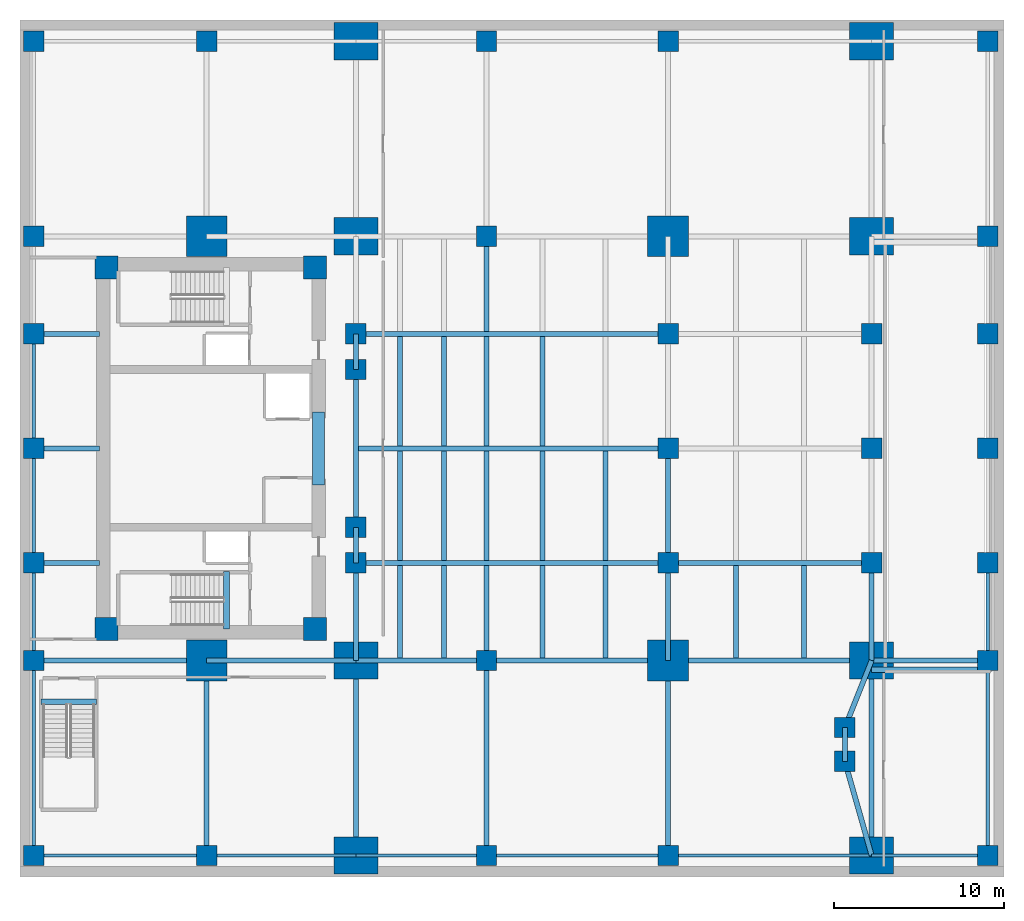
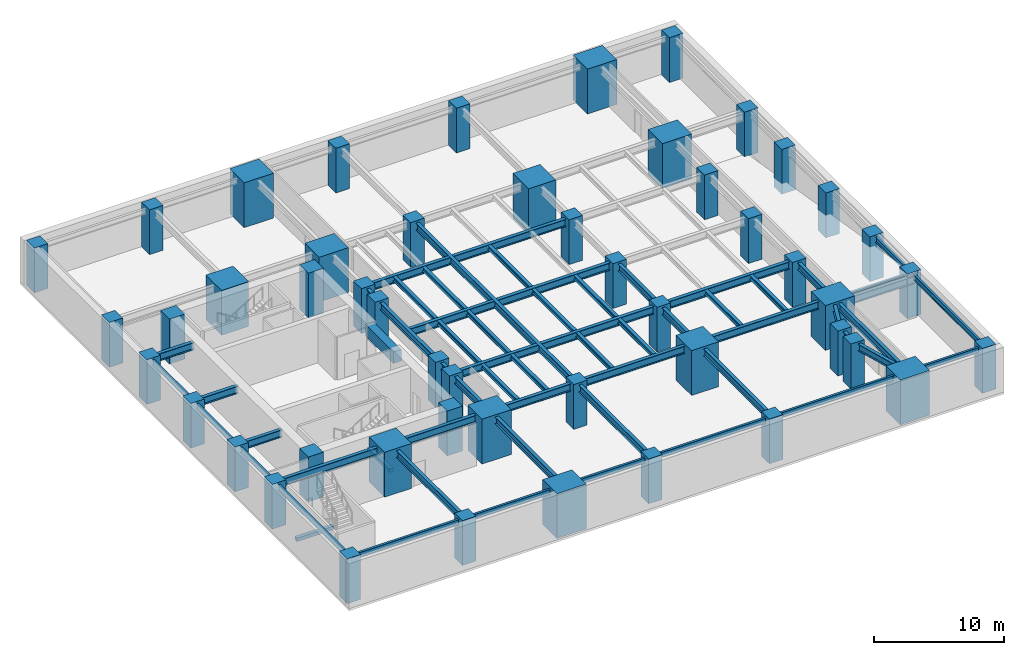
# One storey, part 1 of 5: 58 beams, 50 columns.
"""IFC4 building model written with IfcOpenShell, lengths in metres."""

from ifc_helpers import new_model, si_unit, direction, frame, origin, origin_2d, place, context, subcontext, project, spatial, rectangle, i_section, extrude, material, material_profile, profile_set, type_object, element, save


model = new_model("IFC4")

# Units and contexts
model_context = context("Model", 3, precision=1e-05, world=origin(), true_north=direction((0.0, 1.0)))
body_context = subcontext(model_context, "Body", "Model", "MODEL_VIEW")
ifc_project = project(units=[si_unit("LENGTHUNIT", "METRE"), si_unit("AREAUNIT", "SQUARE_METRE"), si_unit("VOLUMEUNIT", "CUBIC_METRE"), si_unit("PLANEANGLEUNIT", "RADIAN"), si_unit("MASSUNIT", "GRAM", prefix="KILO")], contexts=[model_context])

# Site, building, storey
site_placement = place(None, origin())
site = spatial("IfcSite", under=ifc_project, at=site_placement, CompositionType="ELEMENT")
building_placement = place(site_placement, origin())
building = spatial("IfcBuilding", under=site, at=building_placement, Name="Kinhvarn Gate Tower", CompositionType="ELEMENT")
storey_placement = place(building_placement, frame((0.0, 0.0, -9.0)))
storey = spatial("IfcBuildingStorey", under=building, at=storey_placement, Name="B02", CompositionType="ELEMENT", Elevation=-9.0)

# Columns
ifc_material_1 = material(Name="Concrete C70/85", Category="concrete")
ifc_material_profile_1 = material_profile(ifc_material_1, rectangle(XDim=2.60009765625, YDim=2.199951171875, at=origin_2d()), Name="RC 2600x2200")
ifc_profile_set_1 = profile_set([ifc_material_profile_1], Name="Concrete C70/85")
column_type_1 = type_object("IfcColumnType", Name="COL-AP-2600", PredefinedType="COLUMN", material=ifc_profile_set_1)
for number, where, z_axis, x_axis, name in (
    (1, (19.800048828125, 1.25, 0.0), (0.0, 0.0, 1.0), (1.0, 0.0, 0.0), "Column APW-1-B02 (AP-01)"),
    (2, (50.199951171875, 1.25, 0.0), (0.0, 0.0, 1.0), (1.0, 0.0, 0.0), "Column APE-1-B02 (AP-01)"),
    (3, (19.800048828125, 12.75, 0.0), (0.0, 0.0, 1.0), (1.0, 0.0, 0.0), "Column APW-2-B02 (AP-01)"),
    (4, (50.199951171875, 12.75, 0.0), (0.0, 0.0, 1.0), (1.0, 0.0, 0.0), "Column APE-2-B02 (AP-01)"),
    (5, (19.800048828125, 37.75, 0.0), (0.0, 0.0, 1.0), (1.0, 0.0, 0.0), "Column APW-3-B02 (AP-01)"),
    (6, (50.199951171875, 37.75, 0.0), (0.0, 0.0, 1.0), (1.0, 0.0, 0.0), "Column APE-3-B02 (AP-01)"),
    (7, (19.800048828125, 49.25, 0.0), (0.0, 0.0, 1.0), (1.0, 0.0, 0.0), "Column APW-4-B02 (AP-01)"),
    (8, (50.199951171875, 49.25, 0.0), (0.0, 0.0, 1.0), (1.0, 0.0, 0.0), "Column APE-4-B02 (AP-01)"),
):
    element("IfcColumn", number, at=place(storey_placement, frame(where, z_axis=z_axis, x_axis=x_axis)), inside=storey, type_object=column_type_1, Name=name, PredefinedType="COLUMN", context=body_context, shape_type="SweptSolid", body=[
        extrude(rectangle(XDim=2.60009765625, YDim=2.199951171875, at=origin_2d()), origin(), (0.0, 0.0, 1.0), 4.199951171875),
    ])
ifc_material_profile_2 = material_profile(ifc_material_1, rectangle(XDim=2.39990234375, YDim=2.39990234375, at=origin_2d()), Name="RC 2400x2400")
ifc_profile_set_2 = profile_set([ifc_material_profile_2], Name="Concrete C70/85")
column_type_2 = type_object("IfcColumnType", Name="COL-MC-2400", PredefinedType="COLUMN", material=ifc_profile_set_2)
for number, where, z_axis, x_axis, name in (
    (9, (11.0, 12.75, 0.0), (0.0, 0.0, 1.0), (1.0, 0.0, 0.0), "Column MC1-B02 (MC-24)"),
    (10, (11.0, 37.75, 0.0), (0.0, 0.0, 1.0), (1.0, 0.0, 0.0), "Column MC4-B02 (MC-24)"),
    (11, (38.199951171875, 12.75, 0.0), (0.0, 0.0, 1.0), (1.0, 0.0, 0.0), "Column MC2-B02 (MC-24)"),
    (12, (38.199951171875, 37.75, 0.0), (0.0, 0.0, 1.0), (1.0, 0.0, 0.0), "Column MC3-B02 (MC-24)"),
):
    element("IfcColumn", number, at=place(storey_placement, frame(where, z_axis=z_axis, x_axis=x_axis)), inside=storey, type_object=column_type_2, Name=name, PredefinedType="COLUMN", context=body_context, shape_type="SweptSolid", body=[
        extrude(rectangle(XDim=2.39990234375, YDim=2.39990234375, at=origin_2d()), origin(), (0.0, 0.0, 1.0), 4.199951171875),
    ])
ifc_material_2 = material(Name="Concrete C60/75", Category="concrete")
ifc_material_profile_3 = material_profile(ifc_material_2, rectangle(XDim=1.199951171875, YDim=1.199951171875, at=origin_2d()), Name="RC 1200x1200")
ifc_profile_set_3 = profile_set([ifc_material_profile_3], Name="Concrete C60/75")
column_type_3 = type_object("IfcColumnType", Name="COL-RC-1200", PredefinedType="COLUMN", material=ifc_profile_set_3)
for number, where, z_axis, x_axis, name in (
    (13, (27.5, 12.75, 0.0), (0.0, 0.0, 1.0), (1.0, 0.0, 0.0), "Column SP27-S-B02 (C-120)"),
    (14, (27.5, 37.75, 0.0), (0.0, 0.0, 1.0), (1.0, 0.0, 0.0), "Column SP27-N-B02 (C-120)"),
    (15, (38.199951171875, 18.5, 0.0), (0.0, 0.0, 1.0), (1.0, 0.0, 0.0), "Column SP38-E1-B02 (C-120)"),
    (16, (38.199951171875, 25.25, 0.0), (0.0, 0.0, 1.0), (1.0, 0.0, 0.0), "Column SP38-E2-B02 (C-120)"),
    (17, (38.199951171875, 32.0, 0.0), (0.0, 0.0, 1.0), (1.0, 0.0, 0.0), "Column SP38-E3-B02 (C-120)"),
    (18, (19.800048828125, 18.5, 0.0), (0.0, 0.0, 1.0), (1.0, 0.0, 0.0), "Column APW-M1-B02 (C-120)"),
    (19, (19.800048828125, 20.60009765625, 0.0), (0.0, 0.0, 1.0), (1.0, 0.0, 0.0), "Column APW-M2-B02 (C-120)"),
    (20, (19.800048828125, 29.89990234375, 0.0), (0.0, 0.0, 1.0), (1.0, 0.0, 0.0), "Column APW-M3-B02 (C-120)"),
    (21, (19.800048828125, 32.0, 0.0), (0.0, 0.0, 1.0), (1.0, 0.0, 0.0), "Column APW-M4-B02 (C-120)"),
    (22, (50.199951171875, 18.5, 0.0), (0.0, 0.0, 1.0), (1.0, 0.0, 0.0), "Column APE-M1-B02 (C-120)"),
    (23, (50.199951171875, 25.25, 0.0), (0.0, 0.0, 1.0), (1.0, 0.0, 0.0), "Column APE-M2-B02 (C-120)"),
    (24, (50.199951171875, 32.0, 0.0), (0.0, 0.0, 1.0), (1.0, 0.0, 0.0), "Column APE-M3-B02 (C-120)"),
    (25, (0.800048828125, 1.25, 0.0), (0.0, 0.0, 1.0), (1.0, 0.0, 0.0), "Column PW-1-B02 (C-120)"),
    (26, (57.050048828125, 1.25, 0.0), (0.0, 0.0, 1.0), (1.0, 0.0, 0.0), "Column PE-1-B02 (C-120)"),
    (27, (0.800048828125, 12.75, 0.0), (0.0, 0.0, 1.0), (1.0, 0.0, 0.0), "Column PW-2-B02 (C-120)"),
    (28, (57.050048828125, 12.75, 0.0), (0.0, 0.0, 1.0), (1.0, 0.0, 0.0), "Column PE-2-B02 (C-120)"),
    (29, (0.800048828125, 18.5, 0.0), (0.0, 0.0, 1.0), (1.0, 0.0, 0.0), "Column PW-3-B02 (C-120)"),
    (30, (57.050048828125, 18.5, 0.0), (0.0, 0.0, 1.0), (1.0, 0.0, 0.0), "Column PE-3-B02 (C-120)"),
    (31, (0.800048828125, 25.25, 0.0), (0.0, 0.0, 1.0), (1.0, 0.0, 0.0), "Column PW-4-B02 (C-120)"),
    (32, (57.050048828125, 25.25, 0.0), (0.0, 0.0, 1.0), (1.0, 0.0, 0.0), "Column PE-4-B02 (C-120)"),
    (33, (0.800048828125, 32.0, 0.0), (0.0, 0.0, 1.0), (1.0, 0.0, 0.0), "Column PW-5-B02 (C-120)"),
    (34, (57.050048828125, 32.0, 0.0), (0.0, 0.0, 1.0), (1.0, 0.0, 0.0), "Column PE-5-B02 (C-120)"),
    (35, (0.800048828125, 37.75, 0.0), (0.0, 0.0, 1.0), (1.0, 0.0, 0.0), "Column PW-6-B02 (C-120)"),
    (36, (57.050048828125, 37.75, 0.0), (0.0, 0.0, 1.0), (1.0, 0.0, 0.0), "Column PE-6-B02 (C-120)"),
    (37, (0.800048828125, 49.25, 0.0), (0.0, 0.0, 1.0), (1.0, 0.0, 0.0), "Column PW-7-B02 (C-120)"),
    (38, (57.050048828125, 49.25, 0.0), (0.0, 0.0, 1.0), (1.0, 0.0, 0.0), "Column PE-7-B02 (C-120)"),
    (39, (11.0, 1.25, 0.0), (0.0, 0.0, 1.0), (1.0, 0.0, 0.0), "Column P11-S-B02 (C-120)"),
    (40, (11.0, 49.25, 0.0), (0.0, 0.0, 1.0), (1.0, 0.0, 0.0), "Column P11-N-B02 (C-120)"),
    (41, (48.6201171875, 6.800048828125, 0.0), (0.0, 0.0, 1.0), (1.0, 0.0, 0.0), "Column CS-SE1-B02 (C-120)"),
    (42, (48.6201171875, 8.800048828125, 0.0), (0.0, 0.0, 1.0), (1.0, 0.0, 0.0), "Column CS-SE1B-B02 (C-120)"),
    (43, (27.5, 1.25, 0.0), (0.0, 0.0, 1.0), (1.0, 0.0, 0.0), "Column B27-S-B02 (C-120)"),
    (44, (38.199951171875, 1.25, 0.0), (0.0, 0.0, 1.0), (1.0, 0.0, 0.0), "Column B38-S-B02 (C-120)"),
    (45, (27.5, 49.25, 0.0), (0.0, 0.0, 1.0), (1.0, 0.0, 0.0), "Column B27-N-B02 (C-120)"),
    (46, (38.199951171875, 49.25, 0.0), (0.0, 0.0, 1.0), (1.0, 0.0, 0.0), "Column B38-N-B02 (C-120)"),
):
    element("IfcColumn", number, at=place(storey_placement, frame(where, z_axis=z_axis, x_axis=x_axis)), inside=storey, type_object=column_type_3, Name=name, PredefinedType="COLUMN", context=body_context, shape_type="SweptSolid", body=[
        extrude(rectangle(XDim=1.199951171875, YDim=1.199951171875, at=origin_2d()), origin(), (0.0, 0.0, 1.0), 4.199951171875),
    ])
ifc_material_profile_4 = material_profile(ifc_material_1, rectangle(XDim=1.35009765625, YDim=1.35009765625, at=origin_2d()), Name="RC 1350x1350")
ifc_profile_set_4 = profile_set([ifc_material_profile_4], Name="Concrete C70/85")
column_type_4 = type_object("IfcColumnType", Name="PIL-RC-1350", PredefinedType="PILASTER", material=ifc_profile_set_4)
for number, where, z_axis, x_axis, name in (
    (47, (5.10009765625, 14.60009765625, 0.0), (0.0, 0.0, 1.0), (1.0, 0.0, 0.0), "Column CC-SW-B02 (CP-135)"),
    (48, (5.10009765625, 35.89990234375, 0.0), (0.0, 0.0, 1.0), (1.0, 0.0, 0.0), "Column CC-NW-B02 (CP-135)"),
    (49, (17.39990234375, 14.60009765625, 0.0), (0.0, 0.0, 1.0), (1.0, 0.0, 0.0), "Column CC-SE-B02 (CP-135)"),
    (50, (17.39990234375, 35.89990234375, 0.0), (0.0, 0.0, 1.0), (1.0, 0.0, 0.0), "Column CC-NE-B02 (CP-135)"),
):
    element("IfcColumn", number, at=place(storey_placement, frame(where, z_axis=z_axis, x_axis=x_axis)), inside=storey, type_object=column_type_4, Name=name, PredefinedType="PILASTER", context=body_context, shape_type="SweptSolid", body=[
        extrude(rectangle(XDim=1.35009765625, YDim=1.35009765625, at=origin_2d()), origin(), (0.0, 0.0, 1.0), 4.199951171875),
    ])

# Beams
ifc_material_profile_5 = material_profile(ifc_material_1, rectangle(XDim=0.699951171875, YDim=1.10009765625, at=origin_2d()), Name="RC 700x1100")
ifc_profile_set_5 = profile_set([ifc_material_profile_5], Name="Concrete C70/85")
beam_type_1 = type_object("IfcBeamType", Name="BM-CB-1100", PredefinedType="LINTEL", material=ifc_profile_set_5)
beam_1_placement = place(storey_placement, frame((17.60009765625, 23.10009765625, 3.449951171875), z_axis=(0.0, 1.0, 0.0), x_axis=(-1.0, 0.0, 0.0)))
element("IfcBeam", 51, at=beam_1_placement, inside=storey, type_object=beam_type_1, Name="Core East Portal Coupling Beam B02", PredefinedType="LINTEL", context=body_context, shape_type="SweptSolid", body=[
    extrude(rectangle(XDim=0.699951171875, YDim=1.10009765625, at=origin_2d()), origin(), (0.0, 0.0, 1.0), 4.2998046875),
])
ifc_material_3 = material(Name="Concrete C50/60", Category="concrete")
ifc_material_profile_6 = material_profile(ifc_material_3, rectangle(XDim=0.340087890625, YDim=0.320068359375, at=origin_2d()), Name="RC 340x320")
ifc_profile_set_6 = profile_set([ifc_material_profile_6], Name="Concrete C50/60")
beam_type_2 = type_object("IfcBeamType", Name="BM-LND-500", PredefinedType="BEAM", material=ifc_profile_set_6)
beam_2_placement = place(storey_placement, frame((12.1650390625, 14.60009765625, -0.159912109375), z_axis=(0.0, 1.0, 0.0), x_axis=(-1.0, 0.0, 0.0)))
element("IfcBeam", 52, at=beam_2_placement, inside=storey, type_object=beam_type_2, Name="Stair ST1 Landing Nosing Beam (B02)", PredefinedType="BEAM", context=body_context, shape_type="SweptSolid", body=[
    extrude(rectangle(XDim=0.340087890625, YDim=0.320068359375, at=origin_2d()), origin(), (0.0, 0.0, 1.0), 3.39990234375),
])
beam_3_placement = place(storey_placement, frame((1.25, 10.31494140625, -0.159912109375), z_axis=(1.0, 0.0, 0.0), x_axis=(0.0, 1.0, 0.0)))
element("IfcBeam", 53, at=beam_3_placement, inside=storey, type_object=beam_type_2, Name="Stair ST3 Landing Nosing Beam (B02)", PredefinedType="BEAM", context=body_context, shape_type="SweptSolid", body=[
    extrude(rectangle(XDim=0.340087890625, YDim=0.320068359375, at=origin_2d()), origin(), (0.0, 0.0, 1.0), 3.25),
])
ifc_material_4 = material(Name="Steel S355", Category="steel")
ifc_material_profile_7 = material_profile(ifc_material_4, i_section(OverallWidth=0.300048828125, OverallDepth=0.39990234375, WebThickness=0.013427734375, FlangeThickness=0.02392578125, at=origin_2d()), Name="HEB 400")
ifc_profile_set_7 = profile_set([ifc_material_profile_7], Name="Steel S355")
beam_type_3 = type_object("IfcBeamType", Name="STL-HEB400", PredefinedType="BEAM", material=ifc_profile_set_7)
for number, where, z_axis, x_axis, name in (
    (54, (22.39990234375, 12.89990234375, 3.800048828125), (0.0, 1.0, 0.0), (-1.0, 0.0, 0.0), "Floor Beam PG-12 (B02 J224-12)"),
    (55, (25.0, 12.89990234375, 3.800048828125), (0.0, 1.0, 0.0), (-1.0, 0.0, 0.0), "Floor Beam PG-12 (B02 J250-12)"),
    (56, (30.800048828125, 12.89990234375, 3.800048828125), (0.0, 1.0, 0.0), (-1.0, 0.0, 0.0), "Floor Beam PG-12 (B02 J308-12)"),
    (57, (34.5, 12.89990234375, 3.800048828125), (0.0, 1.0, 0.0), (-1.0, 0.0, 0.0), "Floor Beam PG-12 (B02 J345-12)"),
    (58, (42.199951171875, 12.89990234375, 3.800048828125), (0.0, 1.0, 0.0), (-1.0, 0.0, 0.0), "Floor Beam PG-12 (B02 J422-12)"),
    (59, (46.199951171875, 12.89990234375, 3.800048828125), (0.0, 1.0, 0.0), (-1.0, 0.0, 0.0), "Floor Beam PG-12 (B02 J462-12)"),
):
    element("IfcBeam", number, at=place(storey_placement, frame(where, z_axis=z_axis, x_axis=x_axis)), inside=storey, type_object=beam_type_3, Name=name, PredefinedType="BEAM", context=body_context, shape_type="SweptSolid", body=[
        extrude(i_section(OverallWidth=0.300048828125, OverallDepth=0.39990234375, WebThickness=0.013427734375, FlangeThickness=0.02392578125, at=origin_2d()), origin(), (0.0, 0.0, 1.0), 5.4501953125),
    ])
for number, where, z_axis, x_axis, name in (
    (60, (22.39990234375, 18.64990234375, 3.800048828125), (0.0, 1.0, 0.0), (-1.0, 0.0, 0.0), "Floor Beam PG-12 (B02 J224-18)"),
    (61, (25.0, 18.64990234375, 3.800048828125), (0.0, 1.0, 0.0), (-1.0, 0.0, 0.0), "Floor Beam PG-12 (B02 J250-18)"),
    (62, (30.800048828125, 18.64990234375, 3.800048828125), (0.0, 1.0, 0.0), (-1.0, 0.0, 0.0), "Floor Beam PG-12 (B02 J308-18)"),
    (63, (34.5, 18.64990234375, 3.800048828125), (0.0, 1.0, 0.0), (-1.0, 0.0, 0.0), "Floor Beam PG-12 (B02 J345-18)"),
    (64, (22.39990234375, 25.39990234375, 3.800048828125), (0.0, 1.0, 0.0), (-1.0, 0.0, 0.0), "Floor Beam PG-12 (B02 J224-25)"),
    (65, (25.0, 25.39990234375, 3.800048828125), (0.0, 1.0, 0.0), (-1.0, 0.0, 0.0), "Floor Beam PG-12 (B02 J250-25)"),
    (66, (30.800048828125, 25.39990234375, 3.800048828125), (0.0, 1.0, 0.0), (-1.0, 0.0, 0.0), "Floor Beam PG-12 (B02 J308-25)"),
):
    element("IfcBeam", number, at=place(storey_placement, frame(where, z_axis=z_axis, x_axis=x_axis)), inside=storey, type_object=beam_type_3, Name=name, PredefinedType="BEAM", context=body_context, shape_type="SweptSolid", body=[
        extrude(i_section(OverallWidth=0.300048828125, OverallDepth=0.39990234375, WebThickness=0.013427734375, FlangeThickness=0.02392578125, at=origin_2d()), origin(), (0.0, 0.0, 1.0), 6.4501953125),
    ])
ifc_material_profile_8 = material_profile(ifc_material_4, i_section(OverallWidth=0.300048828125, OverallDepth=0.64990234375, WebThickness=0.01611328125, FlangeThickness=0.031005859375, at=origin_2d()), Name="HEB 650")
ifc_profile_set_8 = profile_set([ifc_material_profile_8], Name="Steel S355")
beam_type_4 = type_object("IfcBeamType", Name="STL-HEB650", PredefinedType="BEAM", material=ifc_profile_set_8)
beam_4_placement = place(storey_placement, frame((48.6201171875, 6.800048828125, 3.675048828125), z_axis=(0.273776643474, -0.961793298733, 0.0), x_axis=(0.961793298733, 0.273776643474, 0.0)))
element("IfcBeam", 67, at=beam_4_placement, inside=storey, type_object=beam_type_4, Name="Floor Beam PG-17 (B02 TIE-SE1-AP)", PredefinedType="BEAM", context=body_context, shape_type="SweptSolid", body=[
    extrude(i_section(OverallWidth=0.300048828125, OverallDepth=0.64990234375, WebThickness=0.01611328125, FlangeThickness=0.031005859375, at=origin_2d()), origin(), (0.0, 0.0, 1.0), 5.7705078125),
])
beam_5_placement = place(storey_placement, frame((48.6201171875, 6.800048828125, 3.675048828125), z_axis=(0.0, 1.0, 0.0), x_axis=(-1.0, 0.0, 0.0)))
element("IfcBeam", 68, at=beam_5_placement, inside=storey, type_object=beam_type_4, Name="Floor Beam PG-17 (B02 TIE-SE1-M)", PredefinedType="BEAM", context=body_context, shape_type="SweptSolid", body=[
    extrude(i_section(OverallWidth=0.300048828125, OverallDepth=0.64990234375, WebThickness=0.01611328125, FlangeThickness=0.031005859375, at=origin_2d()), origin(), (0.0, 0.0, 1.0), 2.0),
])
beam_6_placement = place(storey_placement, frame((48.6201171875, 8.800048828125, 3.675048828125), z_axis=(0.371360992457, 0.928488563894, 0.0), x_axis=(-0.928488563894, 0.371360992457, 0.0)))
element("IfcBeam", 69, at=beam_6_placement, inside=storey, type_object=beam_type_4, Name="Floor Beam PG-17 (B02 TIE-SE1-N)", PredefinedType="BEAM", context=body_context, shape_type="SweptSolid", body=[
    extrude(i_section(OverallWidth=0.300048828125, OverallDepth=0.64990234375, WebThickness=0.01611328125, FlangeThickness=0.031005859375, at=origin_2d()), origin(), (0.0, 0.0, 1.0), 4.254150390625),
])
for number, where, z_axis, x_axis, name in (
    (70, (11.0, 1.25, 3.675048828125), (0.0, 1.0, 0.0), (-1.0, 0.0, 0.0), "Floor Beam PG-17 (B02 NS11-S)"),
    (71, (19.800048828125, 1.25, 3.675048828125), (0.0, 1.0, 0.0), (-1.0, 0.0, 0.0), "Floor Beam PG-17 (B02 APW-1)"),
):
    element("IfcBeam", number, at=place(storey_placement, frame(where, z_axis=z_axis, x_axis=x_axis)), inside=storey, type_object=beam_type_4, Name=name, PredefinedType="BEAM", context=body_context, shape_type="SweptSolid", body=[
        extrude(i_section(OverallWidth=0.300048828125, OverallDepth=0.64990234375, WebThickness=0.01611328125, FlangeThickness=0.031005859375, at=origin_2d()), origin(), (0.0, 0.0, 1.0), 11.5),
    ])
beam_7_placement = place(storey_placement, frame((19.800048828125, 12.75, 3.675048828125), z_axis=(0.0, 1.0, 0.0), x_axis=(-1.0, 0.0, 0.0)))
element("IfcBeam", 72, at=beam_7_placement, inside=storey, type_object=beam_type_4, Name="Floor Beam PG-17 (B02 APW-2)", PredefinedType="BEAM", context=body_context, shape_type="SweptSolid", body=[
    extrude(i_section(OverallWidth=0.300048828125, OverallDepth=0.64990234375, WebThickness=0.01611328125, FlangeThickness=0.031005859375, at=origin_2d()), origin(), (0.0, 0.0, 1.0), 5.75),
])
beam_8_placement = place(storey_placement, frame((19.800048828125, 18.5, 3.675048828125), z_axis=(0.0, 1.0, 0.0), x_axis=(-1.0, 0.0, 0.0)))
element("IfcBeam", 73, at=beam_8_placement, inside=storey, type_object=beam_type_4, Name="Floor Beam PG-17 (B02 APW-3)", PredefinedType="BEAM", context=body_context, shape_type="SweptSolid", body=[
    extrude(i_section(OverallWidth=0.300048828125, OverallDepth=0.64990234375, WebThickness=0.01611328125, FlangeThickness=0.031005859375, at=origin_2d()), origin(), (0.0, 0.0, 1.0), 2.10009765625),
])
beam_9_placement = place(storey_placement, frame((19.800048828125, 20.60009765625, 3.675048828125), z_axis=(0.0, 1.0, 0.0), x_axis=(-1.0, 0.0, 0.0)))
element("IfcBeam", 74, at=beam_9_placement, inside=storey, type_object=beam_type_4, Name="Floor Beam PG-17 (B02 APW-4)", PredefinedType="BEAM", context=body_context, shape_type="SweptSolid", body=[
    extrude(i_section(OverallWidth=0.300048828125, OverallDepth=0.64990234375, WebThickness=0.01611328125, FlangeThickness=0.031005859375, at=origin_2d()), origin(), (0.0, 0.0, 1.0), 9.2998046875),
])
beam_10_placement = place(storey_placement, frame((19.800048828125, 29.89990234375, 3.675048828125), z_axis=(0.0, 1.0, 0.0), x_axis=(-1.0, 0.0, 0.0)))
element("IfcBeam", 75, at=beam_10_placement, inside=storey, type_object=beam_type_4, Name="Floor Beam PG-17 (B02 APW-5)", PredefinedType="BEAM", context=body_context, shape_type="SweptSolid", body=[
    extrude(i_section(OverallWidth=0.300048828125, OverallDepth=0.64990234375, WebThickness=0.01611328125, FlangeThickness=0.031005859375, at=origin_2d()), origin(), (0.0, 0.0, 1.0), 2.10009765625),
])
beam_11_placement = place(storey_placement, frame((50.199951171875, 1.25, 3.675048828125), z_axis=(0.0, 1.0, 0.0), x_axis=(-1.0, 0.0, 0.0)))
element("IfcBeam", 76, at=beam_11_placement, inside=storey, type_object=beam_type_4, Name="Floor Beam PG-17 (B02 APE-1)", PredefinedType="BEAM", context=body_context, shape_type="SweptSolid", body=[
    extrude(i_section(OverallWidth=0.300048828125, OverallDepth=0.64990234375, WebThickness=0.01611328125, FlangeThickness=0.031005859375, at=origin_2d()), origin(), (0.0, 0.0, 1.0), 11.5),
])
beam_12_placement = place(storey_placement, frame((50.199951171875, 12.75, 3.675048828125), z_axis=(0.0, 1.0, 0.0), x_axis=(-1.0, 0.0, 0.0)))
element("IfcBeam", 77, at=beam_12_placement, inside=storey, type_object=beam_type_4, Name="Floor Beam PG-17 (B02 APE-2)", PredefinedType="BEAM", context=body_context, shape_type="SweptSolid", body=[
    extrude(i_section(OverallWidth=0.300048828125, OverallDepth=0.64990234375, WebThickness=0.01611328125, FlangeThickness=0.031005859375, at=origin_2d()), origin(), (0.0, 0.0, 1.0), 5.75),
])
for number, where, z_axis, x_axis, name in (
    (78, (27.5, 1.25, 3.675048828125), (0.0, 1.0, 0.0), (-1.0, 0.0, 0.0), "Floor Beam PG-17 (B02 NS27-S)"),
    (79, (38.199951171875, 1.25, 3.675048828125), (0.0, 1.0, 0.0), (-1.0, 0.0, 0.0), "Floor Beam PG-17 (B02 NS38-S)"),
):
    element("IfcBeam", number, at=place(storey_placement, frame(where, z_axis=z_axis, x_axis=x_axis)), inside=storey, type_object=beam_type_4, Name=name, PredefinedType="BEAM", context=body_context, shape_type="SweptSolid", body=[
        extrude(i_section(OverallWidth=0.300048828125, OverallDepth=0.64990234375, WebThickness=0.01611328125, FlangeThickness=0.031005859375, at=origin_2d()), origin(), (0.0, 0.0, 1.0), 11.5),
    ])
beam_13_placement = place(storey_placement, frame((27.5, 12.75, 3.675048828125), z_axis=(0.0, 1.0, 0.0), x_axis=(-1.0, 0.0, 0.0)))
element("IfcBeam", 80, at=beam_13_placement, inside=storey, type_object=beam_type_4, Name="Floor Beam PG-17 (B02 NS27-M)", PredefinedType="BEAM", context=body_context, shape_type="SweptSolid", body=[
    extrude(i_section(OverallWidth=0.300048828125, OverallDepth=0.64990234375, WebThickness=0.01611328125, FlangeThickness=0.031005859375, at=origin_2d()), origin(), (0.0, 0.0, 1.0), 25.0),
])
beam_14_placement = place(storey_placement, frame((38.199951171875, 12.75, 3.675048828125), z_axis=(0.0, 1.0, 0.0), x_axis=(-1.0, 0.0, 0.0)))
element("IfcBeam", 81, at=beam_14_placement, inside=storey, type_object=beam_type_4, Name="Floor Beam PG-17 (B02 NS38-12)", PredefinedType="BEAM", context=body_context, shape_type="SweptSolid", body=[
    extrude(i_section(OverallWidth=0.300048828125, OverallDepth=0.64990234375, WebThickness=0.01611328125, FlangeThickness=0.031005859375, at=origin_2d()), origin(), (0.0, 0.0, 1.0), 5.75),
])
beam_15_placement = place(storey_placement, frame((38.199951171875, 18.5, 3.675048828125), z_axis=(0.0, 1.0, 0.0), x_axis=(-1.0, 0.0, 0.0)))
element("IfcBeam", 82, at=beam_15_placement, inside=storey, type_object=beam_type_4, Name="Floor Beam PG-17 (B02 NS38-18)", PredefinedType="BEAM", context=body_context, shape_type="SweptSolid", body=[
    extrude(i_section(OverallWidth=0.300048828125, OverallDepth=0.64990234375, WebThickness=0.01611328125, FlangeThickness=0.031005859375, at=origin_2d()), origin(), (0.0, 0.0, 1.0), 6.75),
])
ifc_material_profile_9 = material_profile(ifc_material_4, i_section(OverallWidth=0.300048828125, OverallDepth=0.699951171875, WebThickness=0.01708984375, FlangeThickness=0.031982421875, at=origin_2d()), Name="HEB 700")
ifc_profile_set_9 = profile_set([ifc_material_profile_9], Name="Steel S355")
beam_type_5 = type_object("IfcBeamType", Name="STL-HEB700", PredefinedType="BEAM", material=ifc_profile_set_9)
beam_16_placement = place(storey_placement, frame((0.800048828125, 12.75, 3.64990234375), z_axis=(1.0, 0.0, 0.0), x_axis=(0.0, 1.0, 0.0)))
element("IfcBeam", 83, at=beam_16_placement, inside=storey, type_object=beam_type_5, Name="Floor Beam PG-18 (B02 SPS-1)", PredefinedType="BEAM", context=body_context, shape_type="SweptSolid", body=[
    extrude(i_section(OverallWidth=0.300048828125, OverallDepth=0.699951171875, WebThickness=0.01708984375, FlangeThickness=0.031982421875, at=origin_2d()), origin(), (0.0, 0.0, 1.0), 10.199951171875),
])
beam_17_placement = place(storey_placement, frame((11.0, 12.75, 3.64990234375), z_axis=(1.0, 0.0, 0.0), x_axis=(0.0, 1.0, 0.0)))
element("IfcBeam", 84, at=beam_17_placement, inside=storey, type_object=beam_type_5, Name="Floor Beam PG-18 (B02 SPS-2)", PredefinedType="BEAM", context=body_context, shape_type="SweptSolid", body=[
    extrude(i_section(OverallWidth=0.300048828125, OverallDepth=0.699951171875, WebThickness=0.01708984375, FlangeThickness=0.031982421875, at=origin_2d()), origin(), (0.0, 0.0, 1.0), 8.800048828125),
])
beam_18_placement = place(storey_placement, frame((50.199951171875, 12.75, 3.429931640625), z_axis=(1.0, 0.0, 0.0), x_axis=(0.0, 1.0, 0.0)))
element("IfcBeam", 85, at=beam_18_placement, inside=storey, type_object=beam_type_5, Name="Floor Beam PG-18 (B02 SPS-E)", PredefinedType="BEAM", context=body_context, shape_type="SweptSolid", body=[
    extrude(i_section(OverallWidth=0.300048828125, OverallDepth=0.699951171875, WebThickness=0.01708984375, FlangeThickness=0.031982421875, at=origin_2d()), origin(), (0.0, 0.0, 1.0), 6.85009765625),
])
for number, where, z_axis, x_axis, name in (
    (86, (0.800048828125, 18.5, 3.64990234375), (1.0, 0.0, 0.0), (0.0, 1.0, 0.0), "Floor Beam PG-18 (B02 W-MID-18)"),
    (87, (0.800048828125, 25.25, 3.64990234375), (1.0, 0.0, 0.0), (0.0, 1.0, 0.0), "Floor Beam PG-18 (B02 W-MID-25)"),
    (88, (0.800048828125, 32.0, 3.64990234375), (1.0, 0.0, 0.0), (0.0, 1.0, 0.0), "Floor Beam PG-18 (B02 W-MID-32)"),
):
    element("IfcBeam", number, at=place(storey_placement, frame(where, z_axis=z_axis, x_axis=x_axis)), inside=storey, type_object=beam_type_5, Name=name, PredefinedType="BEAM", context=body_context, shape_type="SweptSolid", body=[
        extrude(i_section(OverallWidth=0.300048828125, OverallDepth=0.699951171875, WebThickness=0.01708984375, FlangeThickness=0.031982421875, at=origin_2d()), origin(), (0.0, 0.0, 1.0), 3.89990234375),
    ])
beam_19_placement = place(storey_placement, frame((50.199951171875, 12.199951171875, 3.510009765625), z_axis=(1.0, 0.0, 0.0), x_axis=(0.0, 1.0, 0.0)))
element("IfcBeam", 89, at=beam_19_placement, inside=storey, type_object=beam_type_5, Name="Floor Beam PG-18 (B02 RMP-TRM-1)", PredefinedType="BEAM", context=body_context, shape_type="SweptSolid", body=[
    extrude(i_section(OverallWidth=0.300048828125, OverallDepth=0.699951171875, WebThickness=0.01708984375, FlangeThickness=0.031982421875, at=origin_2d()), origin(), (0.0, 0.0, 1.0), 6.85009765625),
])
beam_20_placement = place(storey_placement, frame((19.800048828125, 12.75, 3.64990234375), z_axis=(1.0, 0.0, 0.0), x_axis=(0.0, 1.0, 0.0)))
element("IfcBeam", 90, at=beam_20_placement, inside=storey, type_object=beam_type_5, Name="Floor Beam PG-18 (B02 BM-S1)", PredefinedType="BEAM", context=body_context, shape_type="SweptSolid", body=[
    extrude(i_section(OverallWidth=0.300048828125, OverallDepth=0.699951171875, WebThickness=0.01708984375, FlangeThickness=0.031982421875, at=origin_2d()), origin(), (0.0, 0.0, 1.0), 7.699951171875),
])
beam_21_placement = place(storey_placement, frame((27.5, 12.75, 3.64990234375), z_axis=(1.0, 0.0, 0.0), x_axis=(0.0, 1.0, 0.0)))
element("IfcBeam", 91, at=beam_21_placement, inside=storey, type_object=beam_type_5, Name="Floor Beam PG-18 (B02 BM-S2)", PredefinedType="BEAM", context=body_context, shape_type="SweptSolid", body=[
    extrude(i_section(OverallWidth=0.300048828125, OverallDepth=0.699951171875, WebThickness=0.01708984375, FlangeThickness=0.031982421875, at=origin_2d()), origin(), (0.0, 0.0, 1.0), 10.699951171875),
])
beam_22_placement = place(storey_placement, frame((38.199951171875, 12.75, 3.64990234375), z_axis=(1.0, 0.0, 0.0), x_axis=(0.0, 1.0, 0.0)))
element("IfcBeam", 92, at=beam_22_placement, inside=storey, type_object=beam_type_5, Name="Floor Beam PG-18 (B02 BM-S3)", PredefinedType="BEAM", context=body_context, shape_type="SweptSolid", body=[
    extrude(i_section(OverallWidth=0.300048828125, OverallDepth=0.699951171875, WebThickness=0.01708984375, FlangeThickness=0.031982421875, at=origin_2d()), origin(), (0.0, 0.0, 1.0), 12.0),
])
beam_23_placement = place(storey_placement, frame((19.800048828125, 18.5, 3.64990234375), z_axis=(1.0, 0.0, 0.0), x_axis=(0.0, 1.0, 0.0)))
element("IfcBeam", 93, at=beam_23_placement, inside=storey, type_object=beam_type_5, Name="Floor Beam PG-18 (B02 BM-EW1-18)", PredefinedType="BEAM", context=body_context, shape_type="SweptSolid", body=[
    extrude(i_section(OverallWidth=0.300048828125, OverallDepth=0.699951171875, WebThickness=0.01708984375, FlangeThickness=0.031982421875, at=origin_2d()), origin(), (0.0, 0.0, 1.0), 18.39990234375),
])
beam_24_placement = place(storey_placement, frame((38.199951171875, 18.5, 3.64990234375), z_axis=(1.0, 0.0, 0.0), x_axis=(0.0, 1.0, 0.0)))
element("IfcBeam", 94, at=beam_24_placement, inside=storey, type_object=beam_type_5, Name="Floor Beam PG-18 (B02 BM-EW2-18)", PredefinedType="BEAM", context=body_context, shape_type="SweptSolid", body=[
    extrude(i_section(OverallWidth=0.300048828125, OverallDepth=0.699951171875, WebThickness=0.01708984375, FlangeThickness=0.031982421875, at=origin_2d()), origin(), (0.0, 0.0, 1.0), 12.0),
])
for number, where, z_axis, x_axis, name in (
    (95, (19.800048828125, 25.25, 3.64990234375), (1.0, 0.0, 0.0), (0.0, 1.0, 0.0), "Floor Beam PG-18 (B02 BM-EW1-25)"),
    (96, (19.800048828125, 32.0, 3.64990234375), (1.0, 0.0, 0.0), (0.0, 1.0, 0.0), "Floor Beam PG-18 (B02 BM-EW1-32)"),
):
    element("IfcBeam", number, at=place(storey_placement, frame(where, z_axis=z_axis, x_axis=x_axis)), inside=storey, type_object=beam_type_5, Name=name, PredefinedType="BEAM", context=body_context, shape_type="SweptSolid", body=[
        extrude(i_section(OverallWidth=0.300048828125, OverallDepth=0.699951171875, WebThickness=0.01708984375, FlangeThickness=0.031982421875, at=origin_2d()), origin(), (0.0, 0.0, 1.0), 18.39990234375),
    ])
ifc_material_profile_10 = material_profile(ifc_material_4, i_section(OverallWidth=0.199951171875, OverallDepth=0.5, WebThickness=0.01025390625, FlangeThickness=0.01611328125, at=origin_2d()), Name="IPE 500")
ifc_profile_set_10 = profile_set([ifc_material_profile_10], Name="Steel S355")
beam_type_6 = type_object("IfcBeamType", Name="STL-IPE500", PredefinedType="SPANDREL", material=ifc_profile_set_10)
for number, where, z_axis, x_axis, name in (
    (97, (0.800048828125, 1.25, 3.75), (0.0, 1.0, 0.0), (-1.0, 0.0, 0.0), "Floor Spandrel SB-07 (B02 PERW-1)"),
    (98, (57.050048828125, 1.25, 3.75), (0.0, 1.0, 0.0), (-1.0, 0.0, 0.0), "Floor Spandrel SB-07 (B02 PERE-1)"),
):
    element("IfcBeam", number, at=place(storey_placement, frame(where, z_axis=z_axis, x_axis=x_axis)), inside=storey, type_object=beam_type_6, Name=name, PredefinedType="SPANDREL", context=body_context, shape_type="SweptSolid", body=[
        extrude(i_section(OverallWidth=0.199951171875, OverallDepth=0.5, WebThickness=0.01025390625, FlangeThickness=0.01611328125, at=origin_2d()), origin(), (0.0, 0.0, 1.0), 11.5),
    ])
for number, where, z_axis, x_axis, name in (
    (99, (0.800048828125, 12.75, 3.75), (0.0, 1.0, 0.0), (-1.0, 0.0, 0.0), "Floor Spandrel SB-07 (B02 PERW-2)"),
    (100, (57.050048828125, 12.75, 3.75), (0.0, 1.0, 0.0), (-1.0, 0.0, 0.0), "Floor Spandrel SB-07 (B02 PERE-2)"),
):
    element("IfcBeam", number, at=place(storey_placement, frame(where, z_axis=z_axis, x_axis=x_axis)), inside=storey, type_object=beam_type_6, Name=name, PredefinedType="SPANDREL", context=body_context, shape_type="SweptSolid", body=[
        extrude(i_section(OverallWidth=0.199951171875, OverallDepth=0.5, WebThickness=0.01025390625, FlangeThickness=0.01611328125, at=origin_2d()), origin(), (0.0, 0.0, 1.0), 5.75),
    ])
for number, where, z_axis, x_axis, name in (
    (101, (0.800048828125, 18.5, 3.75), (0.0, 1.0, 0.0), (-1.0, 0.0, 0.0), "Floor Spandrel SB-07 (B02 PERW-3)"),
    (102, (0.800048828125, 25.25, 3.75), (0.0, 1.0, 0.0), (-1.0, 0.0, 0.0), "Floor Spandrel SB-07 (B02 PERW-4)"),
):
    element("IfcBeam", number, at=place(storey_placement, frame(where, z_axis=z_axis, x_axis=x_axis)), inside=storey, type_object=beam_type_6, Name=name, PredefinedType="SPANDREL", context=body_context, shape_type="SweptSolid", body=[
        extrude(i_section(OverallWidth=0.199951171875, OverallDepth=0.5, WebThickness=0.01025390625, FlangeThickness=0.01611328125, at=origin_2d()), origin(), (0.0, 0.0, 1.0), 6.75),
    ])
beam_25_placement = place(storey_placement, frame((0.800048828125, 1.25, 3.75), z_axis=(1.0, 0.0, 0.0), x_axis=(0.0, 1.0, 0.0)))
element("IfcBeam", 103, at=beam_25_placement, inside=storey, type_object=beam_type_6, Name="Floor Spandrel SB-07 (B02 SP-POD-SW1)", PredefinedType="SPANDREL", context=body_context, shape_type="SweptSolid", body=[
    extrude(i_section(OverallWidth=0.199951171875, OverallDepth=0.5, WebThickness=0.01025390625, FlangeThickness=0.01611328125, at=origin_2d()), origin(), (0.0, 0.0, 1.0), 10.199951171875),
])
beam_26_placement = place(storey_placement, frame((11.0, 1.25, 3.75), z_axis=(1.0, 0.0, 0.0), x_axis=(0.0, 1.0, 0.0)))
element("IfcBeam", 104, at=beam_26_placement, inside=storey, type_object=beam_type_6, Name="Floor Spandrel SB-07 (B02 SP-POD-SW2)", PredefinedType="SPANDREL", context=body_context, shape_type="SweptSolid", body=[
    extrude(i_section(OverallWidth=0.199951171875, OverallDepth=0.5, WebThickness=0.01025390625, FlangeThickness=0.01611328125, at=origin_2d()), origin(), (0.0, 0.0, 1.0), 8.800048828125),
])
beam_27_placement = place(storey_placement, frame((50.199951171875, 1.25, 3.75), z_axis=(1.0, 0.0, 0.0), x_axis=(0.0, 1.0, 0.0)))
element("IfcBeam", 105, at=beam_27_placement, inside=storey, type_object=beam_type_6, Name="Floor Spandrel SB-07 (B02 SP-POD-SE)", PredefinedType="SPANDREL", context=body_context, shape_type="SweptSolid", body=[
    extrude(i_section(OverallWidth=0.199951171875, OverallDepth=0.5, WebThickness=0.01025390625, FlangeThickness=0.01611328125, at=origin_2d()), origin(), (0.0, 0.0, 1.0), 6.85009765625),
])
beam_28_placement = place(storey_placement, frame((19.800048828125, 1.25, 3.75), z_axis=(1.0, 0.0, 0.0), x_axis=(0.0, 1.0, 0.0)))
element("IfcBeam", 106, at=beam_28_placement, inside=storey, type_object=beam_type_6, Name="Floor Spandrel SB-07 (B02 BS-SP1)", PredefinedType="SPANDREL", context=body_context, shape_type="SweptSolid", body=[
    extrude(i_section(OverallWidth=0.199951171875, OverallDepth=0.5, WebThickness=0.01025390625, FlangeThickness=0.01611328125, at=origin_2d()), origin(), (0.0, 0.0, 1.0), 7.699951171875),
])
beam_29_placement = place(storey_placement, frame((27.5, 1.25, 3.75), z_axis=(1.0, 0.0, 0.0), x_axis=(0.0, 1.0, 0.0)))
element("IfcBeam", 107, at=beam_29_placement, inside=storey, type_object=beam_type_6, Name="Floor Spandrel SB-07 (B02 BS-SP2)", PredefinedType="SPANDREL", context=body_context, shape_type="SweptSolid", body=[
    extrude(i_section(OverallWidth=0.199951171875, OverallDepth=0.5, WebThickness=0.01025390625, FlangeThickness=0.01611328125, at=origin_2d()), origin(), (0.0, 0.0, 1.0), 10.699951171875),
])
beam_30_placement = place(storey_placement, frame((38.199951171875, 1.25, 3.75), z_axis=(1.0, 0.0, 0.0), x_axis=(0.0, 1.0, 0.0)))
element("IfcBeam", 108, at=beam_30_placement, inside=storey, type_object=beam_type_6, Name="Floor Spandrel SB-07 (B02 BS-SP3)", PredefinedType="SPANDREL", context=body_context, shape_type="SweptSolid", body=[
    extrude(i_section(OverallWidth=0.199951171875, OverallDepth=0.5, WebThickness=0.01025390625, FlangeThickness=0.01611328125, at=origin_2d()), origin(), (0.0, 0.0, 1.0), 12.0),
])

save(model, "model.ifc")
